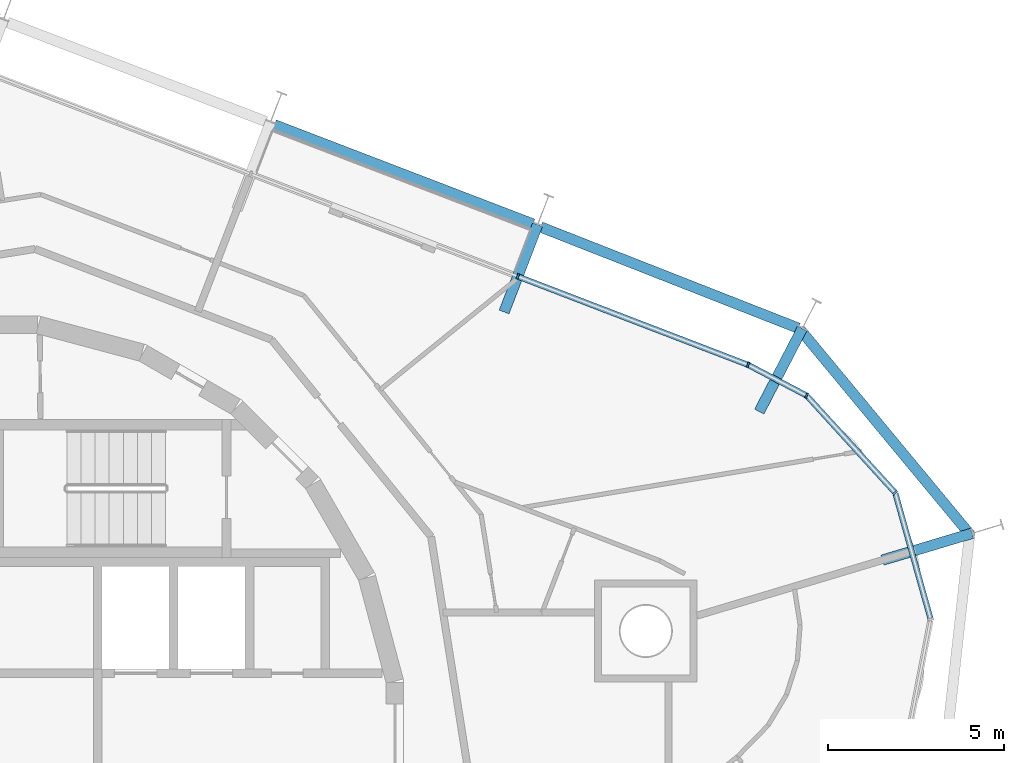
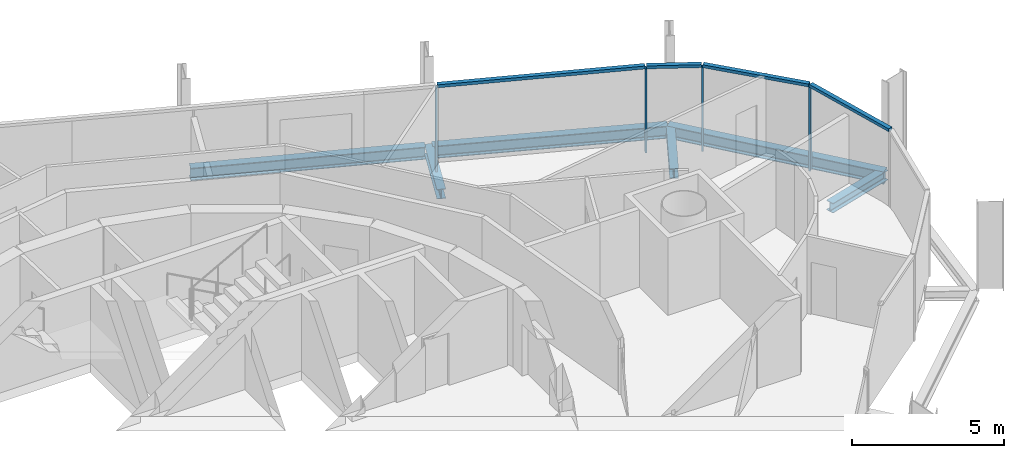
# One storey, part 9 of 17: 8 members, 6 beams, 2 elements without a shape of their own.
"""IFC4 building model written with IfcOpenShell, lengths in metres."""

from ifc_helpers import new_model, si_unit, direction, frame, origin, origin_2d, place, context, subcontext, project, spatial, rectangle, i_section, extrude, material, layer, layer_set, material_profile, profile_set, type_object, element, aggregate, save


model = new_model("IFC4")

# Units and contexts
model_context = context("Model", 3, precision=1e-05, world=origin(), true_north=direction((0.0, 1.0)))
body_context = subcontext(model_context, "Body", "Model", "MODEL_VIEW")
ifc_project = project(units=[si_unit("LENGTHUNIT", "METRE"), si_unit("AREAUNIT", "SQUARE_METRE"), si_unit("VOLUMEUNIT", "CUBIC_METRE"), si_unit("PLANEANGLEUNIT", "RADIAN"), si_unit("MASSUNIT", "GRAM", prefix="KILO")], contexts=[model_context])

# Site, building, storey
site_placement = place(None, origin())
site = spatial("IfcSite", under=ifc_project, at=site_placement, CompositionType="ELEMENT")
building_placement = place(site_placement, origin())
building = spatial("IfcBuilding", under=site, at=building_placement, Name="Spindle Arch Residences", CompositionType="ELEMENT")
storey_placement = place(building_placement, frame((0.0, 0.0, 266.89990234375)))
storey = spatial("IfcBuildingStorey", under=building, at=storey_placement, Name="L68", CompositionType="ELEMENT", Elevation=266.89990234375)

# Curtain wall, members
ifc_material_1 = material(Name="Aluminium bronze unitised frame with tinted glass", Category="aluminium")
ifc_layer_1 = layer(ifc_material_1, 0.159912109375)
ifc_layer_set_1 = layer_set([ifc_layer_1], Name="CW-D corner wall on the fillet arcs")
curtain_wall_type_1 = type_object("IfcCurtainWallType", Name="CW-D corner wall on the fillet arcs", PredefinedType="NOTDEFINED", material=ifc_layer_set_1)
curtain_wall_1_placement = place(storey_placement, origin())
curtain_wall_1 = element("IfcCurtainWall", 1, at=curtain_wall_1_placement, inside=storey, type_object=curtain_wall_type_1, Name="CW-D L68 run 1", PredefinedType="NOTDEFINED")
ifc_material_2 = material(Name="Aluminium bronze anodised mullion", Category="aluminium")
ifc_material_profile_1 = material_profile(ifc_material_2, rectangle(XDim=0.159912109375, YDim=0.06005859375, at=origin_2d()), Name="MU 60x160")
ifc_profile_set_1 = profile_set([ifc_material_profile_1], Name="Aluminium bronze anodised mullion")
member_type_1 = type_object("IfcMemberType", Name="Bronze mullion 60x160", PredefinedType="MULLION", material=ifc_profile_set_1)
member_1_placement = place(storey_placement, frame((25.826171875, 6.888427734375, -0.3798828125), z_axis=(0.0, 0.0, 1.0), x_axis=(-0.73923942464, -0.673442702134, 0.0)))
member_1 = element("IfcMember", 2, at=member_1_placement, type_object=member_type_1, Name="CW-D mullion 04", PredefinedType="MULLION", context=body_context, shape_type="SweptSolid", body=[
    extrude(rectangle(XDim=0.159912109375, YDim=0.06005859375, at=origin_2d()), origin(), (0.0, 0.0, 1.0), 3.3798828125),
])
member_2_placement = place(storey_placement, frame((23.316650390625, 9.643310546875, -0.3798828125), z_axis=(0.0, 0.0, 1.0), x_axis=(-0.464326860783, -0.885663912754, 0.0)))
member_2 = element("IfcMember", 3, at=member_2_placement, type_object=member_type_1, Name="CW-D mullion 05", PredefinedType="MULLION", context=body_context, shape_type="SweptSolid", body=[
    extrude(rectangle(XDim=0.159912109375, YDim=0.06005859375, at=origin_2d()), origin(), (0.0, 0.0, 1.0), 3.3798828125),
])
member_3_placement = place(storey_placement, frame((21.655029296875, 10.514404296875, -0.3798828125), z_axis=(0.0, 0.0, 1.0), x_axis=(-0.358367949545, -0.933580426497, 0.0)))
member_3 = element("IfcMember", 4, at=member_3_placement, type_object=member_type_1, Name="CW-D mullion 06", PredefinedType="MULLION", context=body_context, shape_type="SweptSolid", body=[
    extrude(rectangle(XDim=0.159912109375, YDim=0.06005859375, at=origin_2d()), origin(), (0.0, 0.0, 1.0), 3.3798828125),
])

# Curtain wall, member
ifc_material_3 = material(Name="Aluminium bronze unitised frame with tinted glass", Category="aluminium")
ifc_layer_2 = layer(ifc_material_3, 0.159912109375)
ifc_layer_set_2 = layer_set([ifc_layer_2], Name="CW-C typical residential unitised wall")
curtain_wall_type_2 = type_object("IfcCurtainWallType", Name="CW-C typical residential unitised wall", PredefinedType="NOTDEFINED", material=ifc_layer_set_2)
curtain_wall_2_placement = place(storey_placement, origin())
curtain_wall_2 = element("IfcCurtainWall", 5, at=curtain_wall_2_placement, inside=storey, type_object=curtain_wall_type_2, Name="CW-C L68 run 2", PredefinedType="NOTDEFINED")
member_4_placement = place(storey_placement, frame((15.12939453125, 13.01953125, -0.3798828125), z_axis=(0.0, 0.0, 1.0), x_axis=(-0.358367949545, -0.933580426497, 0.0)))
member_4 = element("IfcMember", 6, at=member_4_placement, type_object=member_type_1, Name="CW-C mullion 05", PredefinedType="MULLION", context=body_context, shape_type="SweptSolid", body=[
    extrude(rectangle(XDim=0.159912109375, YDim=0.06005859375, at=origin_2d()), origin(), (0.0, 0.0, 1.0), 3.3798828125),
])
aggregate(curtain_wall_2, [member_4])

# Member
ifc_material_4 = material(Name="Aluminium bronze anodised transom", Category="aluminium")
ifc_material_profile_2 = material_profile(ifc_material_4, rectangle(XDim=0.159912109375, YDim=0.1201171875, at=origin_2d()), Name="TR 120x160")
ifc_profile_set_2 = profile_set([ifc_material_profile_2], Name="Aluminium bronze anodised transom")
member_type_2 = type_object("IfcMemberType", Name="Bronze transom 120x160", PredefinedType="USERDEFINED", material=ifc_profile_set_2)
member_5_placement = place(storey_placement, frame((26.824462890625, 3.3291015625, 3.06005859375), z_axis=(-0.26999542292, 0.962861605633, 0.0), x_axis=(-0.962861605633, -0.26999542292, 0.0)))
member_5 = element("IfcMember", 7, at=member_5_placement, type_object=member_type_2, Name="CW-D transom 03", ObjectType="TRANSOM", PredefinedType="USERDEFINED", context=body_context, shape_type="SweptSolid", body=[
    extrude(rectangle(XDim=0.159912109375, YDim=0.1201171875, at=origin_2d()), origin(), (0.0, 0.0, 1.0), 3.666748046875),
])

member_6_placement = place(storey_placement, frame((25.80615234375, 6.91064453125, 3.06005859375), z_axis=(-0.673451190177, 0.739231691995, 0.0), x_axis=(-0.739231691995, -0.673451190177, 0.0)))
member_6 = element("IfcMember", 8, at=member_6_placement, type_object=member_type_2, Name="CW-D transom 04", ObjectType="TRANSOM", PredefinedType="USERDEFINED", context=body_context, shape_type="SweptSolid", body=[
    extrude(rectangle(XDim=0.159912109375, YDim=0.1201171875, at=origin_2d()), origin(), (0.0, 0.0, 1.0), 3.6669921875),
])

member_7_placement = place(storey_placement, frame((23.2900390625, 9.6572265625, 3.06005859375), z_axis=(-0.885657808089, 0.464338504726, 0.0), x_axis=(-0.464338504726, -0.885657808089, 0.0)))
member_7 = element("IfcMember", 9, at=member_7_placement, type_object=member_type_2, Name="CW-D transom 05", ObjectType="TRANSOM", PredefinedType="USERDEFINED", context=body_context, shape_type="SweptSolid", body=[
    extrude(rectangle(XDim=0.159912109375, YDim=0.1201171875, at=origin_2d()), origin(), (0.0, 0.0, 1.0), 1.816162109375),
])

member_8_placement = place(storey_placement, frame((21.626953125, 10.525390625, 3.06005859375), z_axis=(-0.933580580487, 0.358367548387, 0.0), x_axis=(-0.358367548387, -0.933580580487, 0.0)))
member_8 = element("IfcMember", 10, at=member_8_placement, type_object=member_type_2, Name="CW-D transom 06", ObjectType="TRANSOM", PredefinedType="USERDEFINED", context=body_context, shape_type="SweptSolid", body=[
    extrude(rectangle(XDim=0.159912109375, YDim=0.1201171875, at=origin_2d()), origin(), (0.0, 0.0, 1.0), 6.9296875),
])

aggregate(curtain_wall_1, [member_5, member_1, member_6, member_2, member_7, member_3, member_8])

# Beams
ifc_material_5 = material(Name="Steel S460ML, intumescent coating R 120", Category="steel")
ifc_material_profile_3 = material_profile(ifc_material_5, i_section(OverallWidth=0.300048828125, OverallDepth=0.5, WebThickness=0.014404296875, FlangeThickness=0.028076171875, FilletRadius=0.027099609375, at=origin_2d()), Name="HEB 500")
ifc_profile_set_3 = profile_set([ifc_material_profile_3], Name="Steel S460ML, intumescent coating R 120")
beam_type_1 = type_object("IfcBeamType", Name="Exoskeleton edge beam HEB 500", PredefinedType="BEAM", material=ifc_profile_set_3)
beam_1_placement = place(storey_placement, frame((27.982666015625, 5.661376953125, -0.6298828125), z_axis=(-0.638234616569, 0.769841915079, 0.0), x_axis=(-0.769841915079, -0.638234616569, 0.0)))
element("IfcBeam", 11, at=beam_1_placement, inside=storey, type_object=beam_type_1, Name="Exoskeleton edge beam 4", PredefinedType="BEAM", context=body_context, shape_type="SweptSolid", body=[
    extrude(i_section(OverallWidth=0.300048828125, OverallDepth=0.5, WebThickness=0.014404296875, FlangeThickness=0.028076171875, FilletRadius=0.027099609375, at=origin_2d()), origin(), (0.0, 0.0, 1.0), 7.6318359375),
])
beam_2_placement = place(storey_placement, frame((23.080810546875, 11.552490234375, -0.6298828125), z_axis=(-0.930820691929, 0.365476181818, 0.0), x_axis=(-0.365476181818, -0.930820691929, 0.0)))
element("IfcBeam", 12, at=beam_2_placement, inside=storey, type_object=beam_type_1, Name="Exoskeleton edge beam 5", PredefinedType="BEAM", context=body_context, shape_type="SweptSolid", body=[
    extrude(i_section(OverallWidth=0.300048828125, OverallDepth=0.5, WebThickness=0.014404296875, FlangeThickness=0.028076171875, FilletRadius=0.027099609375, at=origin_2d()), origin(), (0.0, 0.0, 1.0), 7.845703125),
])
beam_3_placement = place(storey_placement, frame((15.56005859375, 14.50390625, -0.6298828125), z_axis=(-0.933584338194, 0.358357759061, 0.0), x_axis=(-0.358357759061, -0.933584338194, 0.0)))
element("IfcBeam", 13, at=beam_3_placement, inside=storey, type_object=beam_type_1, Name="Exoskeleton edge beam 6", PredefinedType="BEAM", context=body_context, shape_type="SweptSolid", body=[
    extrude(i_section(OverallWidth=0.300048828125, OverallDepth=0.5, WebThickness=0.014404296875, FlangeThickness=0.028076171875, FilletRadius=0.027099609375, at=origin_2d()), origin(), (0.0, 0.0, 1.0), 7.84765625),
])
ifc_material_6 = material(Name="Steel S460ML, intumescent coating R 120", Category="steel")
ifc_material_profile_4 = material_profile(ifc_material_6, i_section(OverallWidth=0.300048828125, OverallDepth=0.389892578125, WebThickness=0.010986328125, FlangeThickness=0.01904296875, FilletRadius=0.027099609375, at=origin_2d()), Name="HEA 400")
ifc_profile_set_4 = profile_set([ifc_material_profile_4], Name="Steel S460ML, intumescent coating R 120")
beam_type_2 = type_object("IfcBeamType", Name="Floor outrigger HEA 400", PredefinedType="BEAM", material=ifc_profile_set_4)
for number, where, z_axis, x_axis, name in (
    (14, (28.00390625, 5.738525390625, -0.574951171875), (-0.958013730909, -0.286722324542, 0.0), (0.286722324542, -0.958013730909, 0.0), "Floor outrigger 4"),
    (15, (23.19140625, 11.543212890625, -0.574951171875), (-0.459260001196, -0.888301891983, 0.0), (0.888301891983, -0.459260001196, 0.0), "Floor outrigger 5"),
    (16, (15.692138671875, 14.485107421875, -0.574951171875), (-0.358392499624, -0.933571002234, 0.0), (0.933571002234, -0.358392499624, 0.0), "Floor outrigger 6"),
):
    element("IfcBeam", number, at=place(storey_placement, frame(where, z_axis=z_axis, x_axis=x_axis)), inside=storey, type_object=beam_type_2, Name=name, PredefinedType="BEAM", context=body_context, shape_type="SweptSolid", body=[
        extrude(i_section(OverallWidth=0.300048828125, OverallDepth=0.389892578125, WebThickness=0.010986328125, FlangeThickness=0.01904296875, FilletRadius=0.027099609375, at=origin_2d()), origin(), (0.0, 0.0, 1.0), 2.64990234375),
    ])

save(model, "model.ifc")
